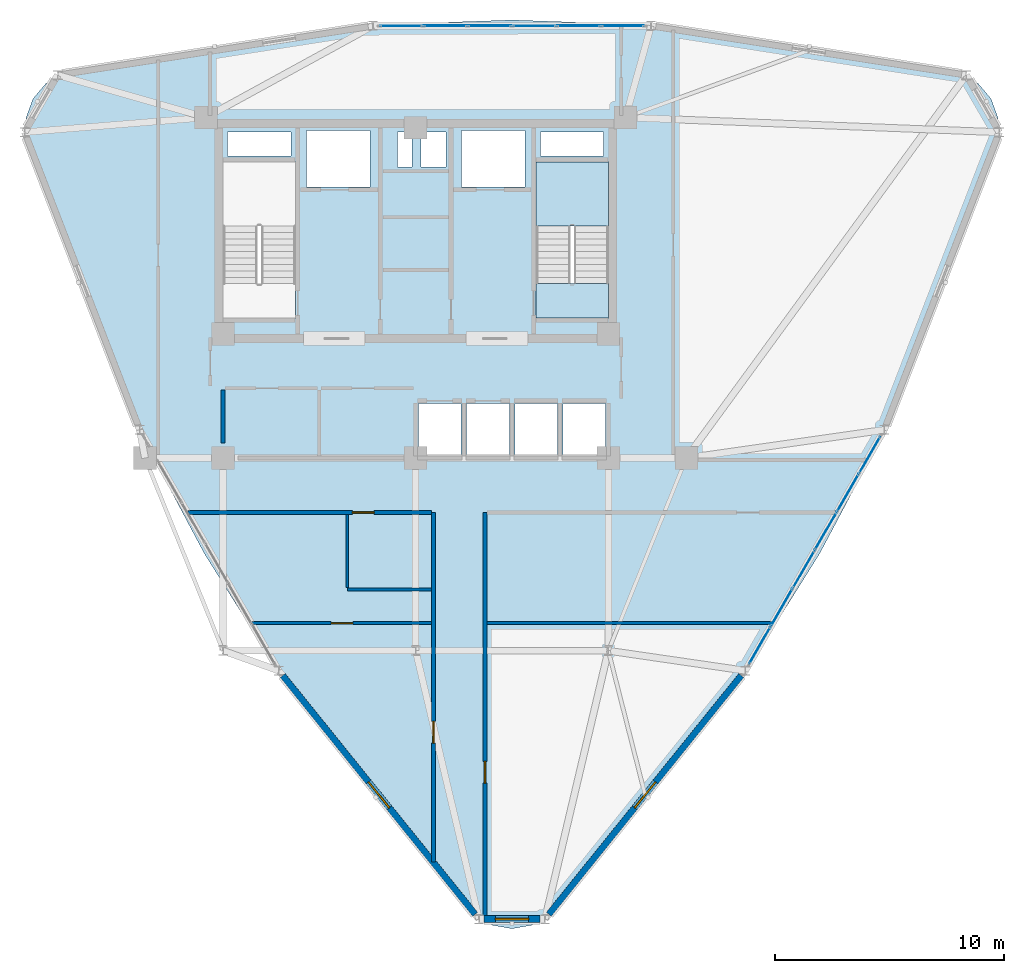
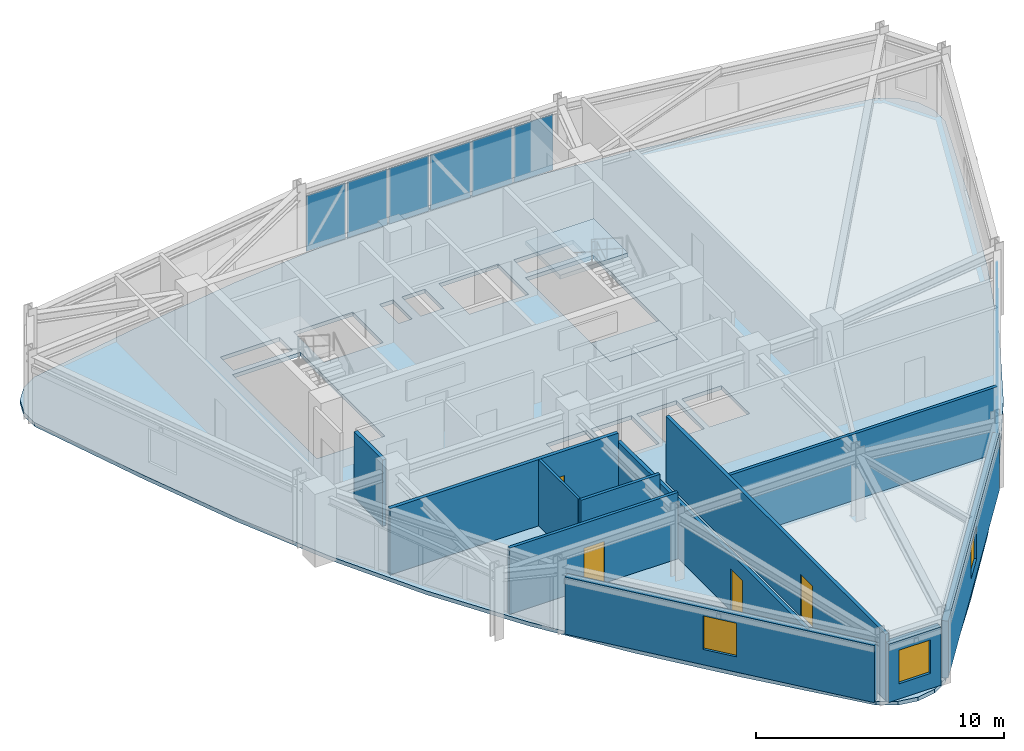
# One storey, part 12 of 16: 12 plates, 11 walls, 4 doors, 3 slabs, 3 windows, 7 openings, 3 elements without a shape of their own.
"""IFC4 building model written with IfcOpenShell, lengths in metres."""

from ifc_helpers import new_model, si_unit, derived_unit, direction, frame, frame_2d, origin, origin_2d, place, context, subcontext, project, spatial, polyline, rectangle, outline, extrude, source, transform, mapped, material, layer, layer_set, type_object, element, fill, aggregate, save


model = new_model("IFC4")

# Units and contexts
model_context = context("Model", 3, precision=1e-05, world=origin(), true_north=direction((0.0, 1.0)))
body_context = subcontext(model_context, "Body", "Model", "MODEL_VIEW")
ifc_project = project(units=[si_unit("LENGTHUNIT", "METRE"), si_unit("AREAUNIT", "SQUARE_METRE"), si_unit("VOLUMEUNIT", "CUBIC_METRE"), si_unit("PLANEANGLEUNIT", "RADIAN"), si_unit("MASSUNIT", "GRAM", prefix="KILO"), derived_unit("THERMALTRANSMITTANCEUNIT", [(si_unit("POWERUNIT", "WATT"), 1), (si_unit("LENGTHUNIT", "METRE"), -2), (si_unit("THERMODYNAMICTEMPERATUREUNIT", "KELVIN"), -1)])], contexts=[model_context])

# Site, building, storey
site_placement = place(None, origin())
site = spatial("IfcSite", under=ifc_project, at=site_placement, CompositionType="ELEMENT")
building_placement = place(site_placement, origin())
building = spatial("IfcBuilding", under=site, at=building_placement, Name="Korsvarv Bourse and Concert Hall", CompositionType="ELEMENT")
storey_placement = place(building_placement, frame((0.0, 0.0, 234.60009765625)))
storey = spatial("IfcBuildingStorey", under=building, at=storey_placement, Name="L61", CompositionType="ELEMENT", Elevation=234.60009765625)

# Slab
ifc_material_1 = material(Name="Precast concrete C45/55", Category="concrete")
ifc_layer_1 = layer(ifc_material_1, 0.199951171875)
ifc_layer_set_1 = layer_set([ifc_layer_1], Name="Precast concrete C45/55")
slab_type_1 = type_object("IfcSlabType", Name="SLB-FLND-T", PredefinedType="LANDING", material=ifc_layer_set_1)
slab_1_placement = place(storey_placement, frame((0.0, 0.0, -0.2001953125)))
element("IfcSlab", 1, at=slab_1_placement, inside=storey, type_object=slab_type_1, Name="L61 Stair ST-T2 Floor Landing Slab", PredefinedType="LANDING", context=body_context, shape_type="SweptSolid", body=[
    extrude(outline(polyline([(44.39990234375, 38.5), (44.39990234375, 40.0), (41.239990234375, 40.0), (41.239990234375, 38.5), (44.39990234375, 38.5)])), origin(), (0.0, 0.0, 1.0), 0.2001953125),
])

# Stair, slab
stair_type = type_object("IfcStairType", Name="STR-TYPE-04", PredefinedType="HALF_TURN_STAIR", material=ifc_material_1)
stair_placement = place(storey_placement, origin())
stair = element("IfcStair", 2, at=stair_placement, inside=storey, type_object=stair_type, Name="L61 Tower East Exit Stair ST-T2", PredefinedType="HALF_TURN_STAIR")
ifc_layer_2 = layer(ifc_material_1, 0.199951171875)
ifc_layer_set_2 = layer_set([ifc_layer_2], Name="Precast concrete C45/55")
slab_type_2 = type_object("IfcSlabType", Name="SLB-ST-LND", PredefinedType="LANDING", material=ifc_layer_set_2)
slab_2_placement = place(storey_placement, frame((0.0, 0.0, 1.599853515625)))
slab_2 = element("IfcSlab", 3, at=slab_2_placement, type_object=slab_type_2, Name="ST-T2 landing 1", PredefinedType="LANDING", context=body_context, shape_type="SweptSolid", body=[
    extrude(outline(polyline([(44.39990234375, 42.52001953125), (44.39990234375, 45.300048828125), (41.239990234375, 45.300048828125), (41.239990234375, 42.52001953125), (44.39990234375, 42.52001953125)])), origin(), (0.0, 0.0, 1.0), 0.199951171875),
])
aggregate(stair, [slab_2])

# Slab
ifc_material_2 = material(Name="Concrete C45/55", Category="concrete")
ifc_layer_3 = layer(ifc_material_2, 0.18994140625)
ifc_layer_set_3 = layer_set([ifc_layer_3], Name="Concrete C45/55")
slab_type_3 = type_object("IfcSlabType", Name="SLB-TW3", PredefinedType="FLOOR", material=ifc_layer_set_3)
slab_3_placement = place(storey_placement, frame((0.0, 0.0, -0.190185546875)))
element("IfcSlab", 4, at=slab_3_placement, inside=storey, type_object=slab_type_3, Name="L61 tower structural floor slab", PredefinedType="FLOOR", context=body_context, shape_type="SweptSolid", body=[
    extrude(outline(polyline([(61.0341796875, 45.40966796875), (59.4189453125, 40.951416015625), (57.701904296875, 36.576416015625), (55.791015625, 32.33349609375), (53.622314453125, 28.25048828125), (51.170654296875, 24.330810546875), (48.45166015625, 20.554443359375), (45.521240234375, 16.88037109375), (42.468017578125, 13.252197265625), (42.46728515625, 13.251220703125), (41.80859375, 12.466552734375), (41.055908203125, 12.031982421875), (40.199951171875, 11.881103515625), (39.343994140625, 12.031982421875), (38.59130859375, 12.466552734375), (37.932861328125, 13.251220703125), (37.931884765625, 13.252197265625), (34.878662109375, 16.88037109375), (31.9482421875, 20.554443359375), (29.229248046875, 24.330810546875), (26.777587890625, 28.25048828125), (24.60888671875, 32.33349609375), (22.697998046875, 36.576416015625), (20.981201171875, 40.951416015625), (19.365966796875, 45.40966796875), (19.365478515625, 45.410888671875), (19.01513671875, 46.37353515625), (19.01513671875, 47.24267578125), (19.3125, 48.059326171875), (19.87109375, 48.725341796875), (20.623779296875, 49.159912109375), (21.632568359375, 49.337890625), (21.6337890625, 49.337890625), (26.302490234375, 50.168212890625), (30.94970703125, 50.868896484375), (35.57958984375, 51.33544921875), (40.199951171875, 51.498779296875), (44.8203125, 51.33544921875), (49.4501953125, 50.868896484375), (54.097412109375, 50.168212890625), (58.76611328125, 49.337890625), (58.767333984375, 49.337890625), (59.776123046875, 49.159912109375), (60.52880859375, 48.725341796875), (61.087646484375, 48.059326171875), (61.385009765625, 47.24267578125), (61.385009765625, 46.37353515625), (61.03466796875, 45.410888671875), (61.0341796875, 45.40966796875)]), holes=[polyline([(30.760009765625, 38.5), (30.760009765625, 45.300048828125), (27.60009765625, 45.300048828125), (27.60009765625, 38.5), (30.760009765625, 38.5)]), polyline([(44.39990234375, 38.5), (44.39990234375, 45.300048828125), (41.239990234375, 45.300048828125), (41.239990234375, 38.5), (44.39990234375, 38.5)]), polyline([(31.239990234375, 44.219970703125), (34.0, 44.219970703125), (34.0, 46.679931640625), (31.239990234375, 46.679931640625), (31.239990234375, 44.219970703125)]), polyline([(38.0, 44.219970703125), (40.760009765625, 44.219970703125), (40.760009765625, 46.679931640625), (38.0, 46.679931640625), (38.0, 44.219970703125)]), polyline([(36.1201171875, 32.52001953125), (37.97998046875, 32.52001953125), (37.97998046875, 34.780029296875), (36.1201171875, 34.780029296875), (36.1201171875, 32.52001953125)]), polyline([(38.219970703125, 32.52001953125), (40.080078125, 32.52001953125), (40.080078125, 34.780029296875), (38.219970703125, 34.780029296875), (38.219970703125, 32.52001953125)]), polyline([(40.320068359375, 32.52001953125), (42.179931640625, 32.52001953125), (42.179931640625, 34.780029296875), (40.320068359375, 34.780029296875), (40.320068359375, 32.52001953125)]), polyline([(42.419921875, 32.52001953125), (44.280029296875, 32.52001953125), (44.280029296875, 34.780029296875), (42.419921875, 34.780029296875), (42.419921875, 32.52001953125)]), polyline([(27.800048828125, 45.56005859375), (30.56005859375, 45.56005859375), (30.56005859375, 46.6201171875), (27.800048828125, 46.6201171875), (27.800048828125, 45.56005859375)]), polyline([(41.43994140625, 45.56005859375), (44.199951171875, 45.56005859375), (44.199951171875, 46.6201171875), (41.43994140625, 46.6201171875), (41.43994140625, 45.56005859375)]), polyline([(35.199951171875, 45.080078125), (35.840087890625, 45.080078125), (35.840087890625, 46.6201171875), (35.199951171875, 46.6201171875), (35.199951171875, 45.080078125)]), polyline([(36.239990234375, 45.080078125), (37.320068359375, 45.080078125), (37.320068359375, 46.6201171875), (36.239990234375, 46.6201171875), (36.239990234375, 45.080078125)])]), origin(), (0.0, 0.0, 1.0), 0.190185546875),
])

# Curtain wall, plates
ifc_material_3 = material(Name="Anodised aluminium and triple low-E glazing", Category="glass")
ifc_layer_4 = layer(ifc_material_3, 0.199951171875)
ifc_layer_set_4 = layer_set([ifc_layer_4], Name="Anodised aluminium and triple low-E glazing")
curtain_wall_type = type_object("IfcCurtainWallType", Name="CW-SYS-3", PredefinedType="NOTDEFINED", material=ifc_layer_set_4)
curtain_wall_1_placement = place(storey_placement, origin())
curtain_wall_1 = element("IfcCurtainWall", 5, at=curtain_wall_1_placement, inside=storey, type_object=curtain_wall_type, Name="L61 CW3 curtain wall CW-L61-F03", PredefinedType="NOTDEFINED")
ifc_material_4 = material(Name="Tempered triple insulated low-E architectural glass", Category="glass")
ifc_layer_5 = layer(ifc_material_4, 0.0380859375)
ifc_layer_set_5 = layer_set([ifc_layer_5], Name="Tempered triple insulated low-E architectural glass")
plate_type_1 = type_object("IfcPlateType", Name="CWP-VIS2", PredefinedType="CURTAIN_PANEL", material=ifc_layer_set_5)
shared_shape_1 = source(origin(), body_context, "Body", "SweptSolid", [
    extrude(rectangle(XDim=1.831298828125, YDim=0.0380859375, at=origin_2d()), origin(), (0.0, 0.0, 1.0), 2.739990234375),
])
plate_1_placement = place(storey_placement, frame((45.023193359375, 51.2412109375, 0.06494140625), z_axis=(0.0, 0.0, 1.0), x_axis=(-1.0, 0.0, 0.0)))
plate_1 = element("IfcPlate", 6, at=plate_1_placement, type_object=plate_type_1, Name="CW3 faceted panel 1.1", PredefinedType="CURTAIN_PANEL", context=body_context, shape_type="MappedRepresentation", body=[
    mapped(shared_shape_1, transform((0.0, 0.0, 0.0), scale=1.0)),
])
shared_shape_2 = source(origin(), body_context, "Body", "SweptSolid", [
    extrude(rectangle(XDim=1.8662109375, YDim=0.0380859375, at=origin_2d()), origin(), (0.0, 0.0, 1.0), 2.739990234375),
])
plate_2_placement = place(storey_placement, frame((43.1044921875, 51.2412109375, 0.06494140625), z_axis=(0.0, 0.0, 1.0), x_axis=(-1.0, 0.0, 0.0)))
plate_2 = element("IfcPlate", 7, at=plate_2_placement, type_object=plate_type_1, Name="CW3 faceted panel 2.1", PredefinedType="CURTAIN_PANEL", context=body_context, shape_type="MappedRepresentation", body=[
    mapped(shared_shape_2, transform((0.0, 0.0, 0.0), scale=1.0)),
])
plate_3_placement = place(storey_placement, frame((39.23193359375, 51.2412109375, 0.06494140625), z_axis=(0.0, 0.0, 1.0), x_axis=(-1.0, 0.0, 0.0)))
plate_3 = element("IfcPlate", 8, at=plate_3_placement, type_object=plate_type_1, Name="CW3 faceted panel 4.1", PredefinedType="CURTAIN_PANEL", context=body_context, shape_type="MappedRepresentation", body=[
    mapped(shared_shape_2, transform((0.0, 0.0, 0.0), scale=1.0)),
])
plate_4_placement = place(storey_placement, frame((37.295654296875, 51.2412109375, 0.06494140625), z_axis=(0.0, 0.0, 1.0), x_axis=(-1.0, 0.0, 0.0)))
plate_4 = element("IfcPlate", 9, at=plate_4_placement, type_object=plate_type_1, Name="CW3 faceted panel 5.1", PredefinedType="CURTAIN_PANEL", context=body_context, shape_type="MappedRepresentation", body=[
    mapped(shared_shape_2, transform((0.0, 0.0, 0.0), scale=1.0)),
])
ifc_material_5 = material(Name="Insulated spandrel glass", Category="glass")
ifc_layer_6 = layer(ifc_material_5, 0.031982421875)
ifc_layer_set_6 = layer_set([ifc_layer_6], Name="Insulated spandrel glass")
plate_type_2 = type_object("IfcPlateType", Name="CWP-SPD1", PredefinedType="CURTAIN_PANEL", material=ifc_layer_set_6)
shared_shape_3 = source(origin(), body_context, "Body", "SweptSolid", [
    extrude(rectangle(XDim=1.8662109375, YDim=0.031982421875, at=origin_2d()), origin(), (0.0, 0.0, 1.0), 2.739990234375),
])
plate_5_placement = place(storey_placement, frame((41.168212890625, 51.2412109375, 0.06494140625), z_axis=(0.0, 0.0, 1.0), x_axis=(-1.0, 0.0, 0.0)))
plate_5 = element("IfcPlate", 10, at=plate_5_placement, type_object=plate_type_2, Name="CW3 spandrel shadow-box panel 3.1", PredefinedType="CURTAIN_PANEL", context=body_context, shape_type="MappedRepresentation", body=[
    mapped(shared_shape_3, transform((0.0, 0.0, 0.0), scale=1.0)),
])
shared_shape_4 = source(origin(), body_context, "Body", "SweptSolid", [
    extrude(rectangle(XDim=1.831298828125, YDim=0.031982421875, at=origin_2d()), origin(), (0.0, 0.0, 1.0), 2.739990234375),
])
plate_6_placement = place(storey_placement, frame((35.376953125, 51.2412109375, 0.06494140625), z_axis=(0.0, 0.0, 1.0), x_axis=(-1.0, 0.0, 0.0)))
plate_6 = element("IfcPlate", 11, at=plate_6_placement, type_object=plate_type_2, Name="CW3 spandrel shadow-box panel 6.1", PredefinedType="CURTAIN_PANEL", context=body_context, shape_type="MappedRepresentation", body=[
    mapped(shared_shape_4, transform((0.0, 0.0, 0.0), scale=1.0)),
])
aggregate(curtain_wall_1, [plate_1, plate_2, plate_5, plate_3, plate_4, plate_6])

curtain_wall_2_placement = place(storey_placement, origin())
curtain_wall_2 = element("IfcCurtainWall", 12, at=curtain_wall_2_placement, inside=storey, type_object=curtain_wall_type, Name="L61 CW3 curtain wall CW-L61-F11", PredefinedType="NOTDEFINED")
shared_shape_5 = source(origin(), body_context, "Body", "SweptSolid", [
    extrude(rectangle(XDim=1.816162109375, YDim=0.0380859375, at=origin_2d()), origin(), (0.0, 0.0, 1.0), 2.739990234375),
])
plate_7_placement = place(storey_placement, frame((51.00634765625, 24.23486328125, 0.06494140625), z_axis=(0.0, 0.0, 1.0), x_axis=(0.499996035044, 0.86602769294, 0.0)))
plate_7 = element("IfcPlate", 13, at=plate_7_placement, type_object=plate_type_1, Name="CW3 faceted panel 1.1", PredefinedType="CURTAIN_PANEL", context=body_context, shape_type="MappedRepresentation", body=[
    mapped(shared_shape_5, transform((0.0, 0.0, 0.0), scale=1.0)),
])
shared_shape_6 = source(origin(), body_context, "Body", "SweptSolid", [
    extrude(rectangle(XDim=1.851318359375, YDim=0.0380859375, at=origin_2d()), origin(), (0.0, 0.0, 1.0), 2.739990234375),
])
plate_8_placement = place(storey_placement, frame((51.958251953125, 25.883544921875, 0.06494140625), z_axis=(0.0, 0.0, 1.0), x_axis=(0.499996035044, 0.86602769294, 0.0)))
plate_8 = element("IfcPlate", 14, at=plate_8_placement, type_object=plate_type_1, Name="CW3 faceted panel 2.1", PredefinedType="CURTAIN_PANEL", context=body_context, shape_type="MappedRepresentation", body=[
    mapped(shared_shape_6, transform((0.0, 0.0, 0.0), scale=1.0)),
])
plate_9_placement = place(storey_placement, frame((53.879638671875, 29.21142578125, 0.06494140625), z_axis=(0.0, 0.0, 1.0), x_axis=(0.499996035044, 0.86602769294, 0.0)))
plate_9 = element("IfcPlate", 15, at=plate_9_placement, type_object=plate_type_1, Name="CW3 faceted panel 4.1", PredefinedType="CURTAIN_PANEL", context=body_context, shape_type="MappedRepresentation", body=[
    mapped(shared_shape_6, transform((0.0, 0.0, 0.0), scale=1.0)),
])
plate_10_placement = place(storey_placement, frame((54.840087890625, 30.875244140625, 0.06494140625), z_axis=(0.0, 0.0, 1.0), x_axis=(0.499996035044, 0.86602769294, 0.0)))
plate_10 = element("IfcPlate", 16, at=plate_10_placement, type_object=plate_type_1, Name="CW3 faceted panel 5.1", PredefinedType="CURTAIN_PANEL", context=body_context, shape_type="MappedRepresentation", body=[
    mapped(shared_shape_6, transform((0.0, 0.0, 0.0), scale=1.0)),
])
shared_shape_7 = source(origin(), body_context, "Body", "SweptSolid", [
    extrude(rectangle(XDim=1.851318359375, YDim=0.031982421875, at=origin_2d()), origin(), (0.0, 0.0, 1.0), 2.739990234375),
])
plate_11_placement = place(storey_placement, frame((52.9189453125, 27.547607421875, 0.06494140625), z_axis=(0.0, 0.0, 1.0), x_axis=(0.499996035044, 0.86602769294, 0.0)))
plate_11 = element("IfcPlate", 17, at=plate_11_placement, type_object=plate_type_2, Name="CW3 spandrel shadow-box panel 3.1", PredefinedType="CURTAIN_PANEL", context=body_context, shape_type="MappedRepresentation", body=[
    mapped(shared_shape_7, transform((0.0, 0.0, 0.0), scale=1.0)),
])
shared_shape_8 = source(origin(), body_context, "Body", "SweptSolid", [
    extrude(rectangle(XDim=1.816162109375, YDim=0.031982421875, at=origin_2d()), origin(), (0.0, 0.0, 1.0), 2.739990234375),
])
plate_12_placement = place(storey_placement, frame((55.7919921875, 32.52392578125, 0.06494140625), z_axis=(0.0, 0.0, 1.0), x_axis=(0.499996035044, 0.86602769294, 0.0)))
plate_12 = element("IfcPlate", 18, at=plate_12_placement, type_object=plate_type_2, Name="CW3 spandrel shadow-box panel 6.1", PredefinedType="CURTAIN_PANEL", context=body_context, shape_type="MappedRepresentation", body=[
    mapped(shared_shape_8, transform((0.0, 0.0, 0.0), scale=1.0)),
])
aggregate(curtain_wall_2, [plate_7, plate_8, plate_11, plate_9, plate_10, plate_12])

# Wall, opening, window
ifc_material_6 = material(Name="Precast concrete C45/55 with terracotta rainscreen", Category="concrete")
ifc_layer_7 = layer(ifc_material_6, 0.300048828125)
ifc_layer_set_7 = layer_set([ifc_layer_7], Name="Precast concrete C45/55 with terracotta rainscreen")
wall_type_1 = type_object("IfcWallType", Name="WL-EXT-TC1", PredefinedType="SOLIDWALL", material=ifc_layer_set_7)
wall_1_placement = place(storey_placement, frame((38.969482421875, 12.296142578125, 0.0), z_axis=(0.0, 0.0, 1.0), x_axis=(1.0, 0.0, 0.0)))
wall_1 = element("IfcWall", 19, at=wall_1_placement, inside=storey, type_object=wall_type_1, Name="L61 terracotta exterior wall EW-L61-B09", PredefinedType="SOLIDWALL", context=body_context, shape_type="SweptSolid", body=[
    extrude(rectangle(XDim=2.4609375, YDim=0.300048828125, at=frame_2d((1.23046875, 0.0))), origin(), (0.0, 0.0, 1.0), 2.869873046875),
])
opening_1_placement = place(wall_1_placement, frame((0.50537109375, 0.0, 0.75)))
opening_1 = element("IfcOpeningElement", 20, at=opening_1_placement, cuts=wall_1, Name="Opening W-02", PredefinedType="OPENING", context=body_context, shape_type="SweptSolid", body=[
    extrude(rectangle(XDim=1.449951171875, YDim=1.64990234375, at=frame_2d((0.72509765625, 0.824951171875))), frame((0.0, 0.16015625, 0.0), z_axis=(0.0, -1.0, 0.0), x_axis=(1.0, 0.0, 0.0)), (0.0, 0.0, 1.0), 0.320068359375),
])
ifc_material_7 = material(Name="Thermally broken aluminium frame with triple low-E glass", Category="glass")
window_type = type_object("IfcWindowType", Name="WIN-TW2", PartitioningType="SINGLE_PANEL", PredefinedType="WINDOW", material=ifc_material_7)
window_1_placement = place(opening_1_placement, origin())
window_1 = element("IfcWindow", 21, at=window_1_placement, inside=storey, type_object=window_type, Name="L61 punched facade window W-02", OverallHeight=1.64990234375, OverallWidth=1.449951171875, PartitioningType="SINGLE_PANEL", PredefinedType="WINDOW", context=body_context, shape_type="SweptSolid", body=[
    extrude(rectangle(XDim=1.449951171875, YDim=1.64990234375, at=frame_2d((0.72509765625, 0.824951171875))), frame((0.0, 0.030029296875, 0.0), z_axis=(0.0, -1.0, 0.0), x_axis=(1.0, 0.0, 0.0)), (0.0, 0.0, 1.0), 0.06005859375),
])
fill(opening_1, window_1)

ifc_material_8 = material(Name="Precast concrete C45/55 with fluted terracotta pier", Category="concrete")
ifc_layer_8 = layer(ifc_material_8, 0.280029296875)
ifc_layer_set_8 = layer_set([ifc_layer_8], Name="Precast concrete C45/55 with fluted terracotta pier")
wall_type_2 = type_object("IfcWallType", Name="WL-EXT-TC2", PredefinedType="SOLIDWALL", material=ifc_layer_set_8)
wall_2_placement = place(storey_placement, frame((30.203369140625, 22.916748046875, 0.0), z_axis=(0.0, 0.0, 1.0), x_axis=(0.627453225305, -0.778654255786, 0.0)))
wall_2 = element("IfcWall", 22, at=wall_2_placement, inside=storey, type_object=wall_type_2, Name="L61 terracotta exterior wall EW-L61-B08", PredefinedType="SOLIDWALL", context=body_context, shape_type="SweptSolid", body=[
    extrude(rectangle(XDim=13.3662109375, YDim=0.280029296875, at=frame_2d((6.68310546875, 0.0))), origin(), (0.0, 0.0, 1.0), 2.809814453125),
])
opening_2_placement = place(wall_2_placement, frame((5.9580078125, 0.0, 0.75)))
opening_2 = element("IfcOpeningElement", 23, at=opening_2_placement, cuts=wall_2, Name="Opening W-02", PredefinedType="OPENING", context=body_context, shape_type="SweptSolid", body=[
    extrude(rectangle(XDim=1.449951171875, YDim=1.64990234375, at=frame_2d((0.72509765625, 0.824951171875))), frame((0.0, 0.14990234375, 0.0), z_axis=(0.0, -1.0, 0.0), x_axis=(1.0, 0.0, 0.0)), (0.0, 0.0, 1.0), 0.300048828125),
])
window_2_placement = place(opening_2_placement, origin())
window_2 = element("IfcWindow", 24, at=window_2_placement, inside=storey, type_object=window_type, Name="L61 punched facade window W-02", OverallHeight=1.64990234375, OverallWidth=1.449951171875, PartitioningType="SINGLE_PANEL", PredefinedType="WINDOW", context=body_context, shape_type="SweptSolid", body=[
    extrude(rectangle(XDim=1.449951171875, YDim=1.64990234375, at=frame_2d((0.72509765625, 0.824951171875))), frame((0.0, 0.030029296875, 0.0), z_axis=(0.0, -1.0, 0.0), x_axis=(1.0, 0.0, 0.0)), (0.0, 0.0, 1.0), 0.06005859375),
])
fill(opening_2, window_2)

wall_3_placement = place(storey_placement, frame((41.81005859375, 12.509033203125, 0.0), z_axis=(0.0, 0.0, 1.0), x_axis=(0.627453225305, 0.778654255786, 0.0)))
wall_3 = element("IfcWall", 25, at=wall_3_placement, inside=storey, type_object=wall_type_2, Name="L61 terracotta exterior wall EW-L61-B10", PredefinedType="SOLIDWALL", context=body_context, shape_type="SweptSolid", body=[
    extrude(rectangle(XDim=13.3662109375, YDim=0.280029296875, at=frame_2d((6.68310546875, 0.0))), origin(), (0.0, 0.0, 1.0), 2.809814453125),
])
opening_3_placement = place(wall_3_placement, frame((5.9580078125, 0.0, 0.75)))
opening_3 = element("IfcOpeningElement", 26, at=opening_3_placement, cuts=wall_3, Name="Opening W-02", PredefinedType="OPENING", context=body_context, shape_type="SweptSolid", body=[
    extrude(rectangle(XDim=1.449951171875, YDim=1.64990234375, at=frame_2d((0.72509765625, 0.824951171875))), frame((0.0, 0.14990234375, 0.0), z_axis=(0.0, -1.0, 0.0), x_axis=(1.0, 0.0, 0.0)), (0.0, 0.0, 1.0), 0.300048828125),
])
window_3_placement = place(opening_3_placement, origin())
window_3 = element("IfcWindow", 27, at=window_3_placement, inside=storey, type_object=window_type, Name="L61 punched facade window W-02", OverallHeight=1.64990234375, OverallWidth=1.449951171875, PartitioningType="SINGLE_PANEL", PredefinedType="WINDOW", context=body_context, shape_type="SweptSolid", body=[
    extrude(rectangle(XDim=1.449951171875, YDim=1.64990234375, at=frame_2d((0.72509765625, 0.824951171875))), frame((0.0, 0.030029296875, 0.0), z_axis=(0.0, -1.0, 0.0), x_axis=(1.0, 0.0, 0.0)), (0.0, 0.0, 1.0), 0.06005859375),
])
fill(opening_3, window_3)

# Wall
ifc_material_9 = material(Name="Double-stud fire-rated acoustic partition", Category="gypsum")
ifc_layer_9 = layer(ifc_material_9, 0.159912109375)
ifc_layer_set_9 = layer_set([ifc_layer_9], Name="Double-stud fire-rated acoustic partition")
wall_type_3 = type_object("IfcWallType", Name="WL-INT-EI60", PredefinedType="PARTITIONING", material=ifc_layer_set_9)
wall_4_placement = place(storey_placement, frame((27.60009765625, 33.050048828125, 0.0), z_axis=(0.0, 0.0, 1.0), x_axis=(0.0, 1.0, 0.0)))
element("IfcWall", 28, at=wall_4_placement, inside=storey, type_object=wall_type_3, Name="L61 interior partition wall W-L61-FRD-W", PredefinedType="PARTITIONING", context=body_context, shape_type="SweptSolid", body=[
    extrude(rectangle(XDim=2.31005859375, YDim=0.159912109375, at=frame_2d((1.155029296875, 0.0))), origin(), (0.0, 0.0, 1.0), 3.260009765625),
])

# Wall, opening, door
wall_5_placement = place(storey_placement, frame((39.02490234375, 12.316162109375, 0.0), z_axis=(0.0, 0.0, 1.0), x_axis=(0.0, 1.0, 0.0)))
wall_5 = element("IfcWall", 29, at=wall_5_placement, inside=storey, type_object=wall_type_3, Name="L61 interior partition wall W-L61-TCOR-02", PredefinedType="PARTITIONING", context=body_context, shape_type="SweptSolid", body=[
    extrude(rectangle(XDim=17.7138671875, YDim=0.159912109375, at=frame_2d((8.85693359375, 0.0))), origin(), (0.0, 0.0, 1.0), 3.260009765625),
])
opening_4_placement = place(wall_5_placement, frame((5.914306640625, 0.0, 0.0)))
opening_4 = element("IfcOpeningElement", 30, at=opening_4_placement, cuts=wall_5, Name="Opening D-02", PredefinedType="OPENING", context=body_context, shape_type="SweptSolid", body=[
    extrude(rectangle(XDim=0.949951171875, YDim=2.050048828125, at=frame_2d((0.47509765625, 1.02490234375))), frame((0.0, 0.08984375, 0.0), z_axis=(0.0, -1.0, 0.0), x_axis=(1.0, 0.0, 0.0)), (0.0, 0.0, 1.0), 0.179931640625),
])
ifc_material_10 = material(Name="Timber and steel acoustic fire door", Category="wood")
door_type_1 = type_object("IfcDoorType", Name="DR-FD30", OperationType="NOTDEFINED", PredefinedType="DOOR", material=ifc_material_10)
door_1_placement = place(opening_4_placement, origin())
door_1 = element("IfcDoor", 31, at=door_1_placement, inside=storey, type_object=door_type_1, Name="L61 interior door DR-L61-TCOR-PRE2", OperationType="SINGLE_SWING_LEFT", OverallHeight=2.050048828125, OverallWidth=0.949951171875, PredefinedType="DOOR", context=body_context, shape_type="SweptSolid", body=[
    extrude(rectangle(XDim=0.949951171875, YDim=2.050048828125, at=frame_2d((0.47509765625, 1.02490234375))), frame((0.0, 0.02490234375, 0.0), z_axis=(0.0, -1.0, 0.0), x_axis=(1.0, 0.0, 0.0)), (0.0, 0.0, 1.0), 0.050048828125),
])
fill(opening_4, door_1)

wall_6_placement = place(storey_placement, frame((36.77490234375, 14.781494140625, 0.0), z_axis=(0.0, 0.0, 1.0), x_axis=(0.0, 1.0, 0.0)))
wall_6 = element("IfcWall", 32, at=wall_6_placement, inside=storey, type_object=wall_type_3, Name="L61 interior partition wall W-L61-TCOR-05", PredefinedType="PARTITIONING", context=body_context, shape_type="SweptSolid", body=[
    extrude(rectangle(XDim=15.24853515625, YDim=0.159912109375, at=frame_2d((7.624267578125, 0.0))), origin(), (0.0, 0.0, 1.0), 2.809814453125),
])
opening_5_placement = place(wall_6_placement, frame((5.184814453125, 0.0, 0.0)))
opening_5 = element("IfcOpeningElement", 33, at=opening_5_placement, cuts=wall_6, Name="Opening D-02", PredefinedType="OPENING", context=body_context, shape_type="SweptSolid", body=[
    extrude(rectangle(XDim=0.949951171875, YDim=2.050048828125, at=frame_2d((0.47509765625, 1.02490234375))), frame((0.0, 0.08984375, 0.0), z_axis=(0.0, -1.0, 0.0), x_axis=(1.0, 0.0, 0.0)), (0.0, 0.0, 1.0), 0.179931640625),
])
door_2_placement = place(opening_5_placement, origin())
door_2 = element("IfcDoor", 34, at=door_2_placement, inside=storey, type_object=door_type_1, Name="L61 interior door DR-L61-TCOR-PRW5", OperationType="SINGLE_SWING_RIGHT", OverallHeight=2.050048828125, OverallWidth=0.949951171875, PredefinedType="DOOR", context=body_context, shape_type="SweptSolid", body=[
    extrude(rectangle(XDim=0.949951171875, YDim=2.050048828125, at=frame_2d((0.47509765625, 1.02490234375))), frame((0.0, 0.02490234375, 0.0), z_axis=(0.0, -1.0, 0.0), x_axis=(1.0, 0.0, 0.0)), (0.0, 0.0, 1.0), 0.050048828125),
])
fill(opening_5, door_2)

wall_7_placement = place(storey_placement, frame((26.07080078125, 30.02490234375, 0.0), z_axis=(0.0, 0.0, 1.0), x_axis=(1.0, 0.0, 0.0)))
wall_7 = element("IfcWall", 35, at=wall_7_placement, inside=storey, type_object=wall_type_3, Name="L61 interior partition wall W-L61-TCOR-06", PredefinedType="PARTITIONING", context=body_context, shape_type="SweptSolid", body=[
    extrude(rectangle(XDim=10.622314453125, YDim=0.159912109375, at=frame_2d((5.31103515625, 0.0))), origin(), (0.0, 0.0, 1.0), 3.260009765625),
])
opening_6_placement = place(wall_7_placement, frame((7.169189453125, 0.0, 0.0)))
opening_6 = element("IfcOpeningElement", 36, at=opening_6_placement, cuts=wall_7, Name="Opening D-02", PredefinedType="OPENING", context=body_context, shape_type="SweptSolid", body=[
    extrude(rectangle(XDim=0.949951171875, YDim=2.050048828125, at=frame_2d((0.47509765625, 1.02490234375))), frame((0.0, 0.08984375, 0.0), z_axis=(0.0, -1.0, 0.0), x_axis=(1.0, 0.0, 0.0)), (0.0, 0.0, 1.0), 0.179931640625),
])
door_3_placement = place(opening_6_placement, origin())
door_3 = element("IfcDoor", 37, at=door_3_placement, inside=storey, type_object=door_type_1, Name="L61 interior door DR-L61-TCOR-RWC", OperationType="SINGLE_SWING_LEFT", OverallHeight=2.050048828125, OverallWidth=0.949951171875, PredefinedType="DOOR", context=body_context, shape_type="SweptSolid", body=[
    extrude(rectangle(XDim=0.949951171875, YDim=2.050048828125, at=frame_2d((0.47509765625, 1.02490234375))), frame((0.0, 0.02490234375, 0.0), z_axis=(0.0, -1.0, 0.0), x_axis=(1.0, 0.0, 0.0)), (0.0, 0.0, 1.0), 0.050048828125),
])
fill(opening_6, door_3)

# Walls
ifc_material_11 = material(Name="Demountable acoustic glass and aluminium dealing partition", Category="aluminium")
ifc_layer_10 = layer(ifc_material_11, 0.110107421875)
ifc_layer_set_10 = layer_set([ifc_layer_10], Name="Demountable acoustic glass and aluminium dealing partition")
wall_type_4 = type_object("IfcWallType", Name="WL-INT-MOV", PredefinedType="MOVABLE", material=ifc_layer_set_10)
wall_8_placement = place(storey_placement, frame((33.02490234375, 26.7470703125, 0.0), z_axis=(0.0, 0.0, 1.0), x_axis=(0.0, 1.0, 0.0)))
element("IfcWall", 38, at=wall_8_placement, inside=storey, type_object=wall_type_4, Name="L61 interior partition wall W-L61-TCOR-13", PredefinedType="MOVABLE", context=body_context, shape_type="SweptSolid", body=[
    extrude(rectangle(XDim=3.196044921875, YDim=0.110107421875, at=frame_2d((1.59814453125, 0.0))), origin(), (0.0, 0.0, 1.0), 3.260009765625),
])
ifc_material_12 = material(Name="Insulated steel-stud office acoustic partition", Category="gypsum")
ifc_layer_11 = layer(ifc_material_12, 0.139892578125)
ifc_layer_set_11 = layer_set([ifc_layer_11], Name="Insulated steel-stud office acoustic partition")
wall_type_5 = type_object("IfcWallType", Name="WL-INT-P1", PredefinedType="PARTITIONING", material=ifc_layer_set_11)
wall_9_placement = place(storey_placement, frame((39.10693359375, 25.205078125, 0.0), z_axis=(0.0, 0.0, 1.0), x_axis=(1.0, 0.0, 0.0)))
element("IfcWall", 39, at=wall_9_placement, inside=storey, type_object=wall_type_5, Name="L61 interior partition wall W-L61-TCOR-10", PredefinedType="PARTITIONING", context=body_context, shape_type="SweptSolid", body=[
    extrude(rectangle(XDim=12.439453125, YDim=0.139892578125, at=frame_2d((6.2197265625, 0.0))), origin(), (0.0, 0.0, 1.0), 3.260009765625),
])

# Wall, opening, door
wall_10_placement = place(storey_placement, frame((28.853515625, 25.205078125, 0.0), z_axis=(0.0, 0.0, 1.0), x_axis=(1.0, 0.0, 0.0)))
wall_10 = element("IfcWall", 40, at=wall_10_placement, inside=storey, type_object=wall_type_5, Name="L61 interior partition wall W-L61-TCOR-11", PredefinedType="PARTITIONING", context=body_context, shape_type="SweptSolid", body=[
    extrude(rectangle(XDim=7.839599609375, YDim=0.139892578125, at=frame_2d((3.919921875, 0.0))), origin(), (0.0, 0.0, 1.0), 3.260009765625),
])
opening_7_placement = place(wall_10_placement, frame((3.458740234375, 0.0, 0.0)))
opening_7 = element("IfcOpeningElement", 41, at=opening_7_placement, cuts=wall_10, Name="Opening D-03", PredefinedType="OPENING", context=body_context, shape_type="SweptSolid", body=[
    extrude(rectangle(XDim=0.949951171875, YDim=2.050048828125, at=frame_2d((0.47509765625, 1.02490234375))), frame((0.0, 0.080078125, 0.0), z_axis=(0.0, -1.0, 0.0), x_axis=(1.0, 0.0, 0.0)), (0.0, 0.0, 1.0), 0.159912109375),
])
ifc_material_13 = material(Name="Nordic oak acoustic office door", Category="wood")
door_type_2 = type_object("IfcDoorType", Name="DR-INT-1", OperationType="NOTDEFINED", PredefinedType="DOOR", material=ifc_material_13)
door_4_placement = place(opening_7_placement, origin())
door_4 = element("IfcDoor", 42, at=door_4_placement, inside=storey, type_object=door_type_2, Name="L61 interior door DR-L61-TCOR-CIN6", OperationType="SINGLE_SWING_LEFT", OverallHeight=2.050048828125, OverallWidth=0.949951171875, PredefinedType="DOOR", context=body_context, shape_type="SweptSolid", body=[
    extrude(rectangle(XDim=0.949951171875, YDim=2.050048828125, at=frame_2d((0.47509765625, 1.02490234375))), frame((0.0, 0.02490234375, 0.0), z_axis=(0.0, -1.0, 0.0), x_axis=(1.0, 0.0, 0.0)), (0.0, 0.0, 1.0), 0.050048828125),
])
fill(opening_7, door_4)

# Wall
wall_11_placement = place(storey_placement, frame((33.02001953125, 26.675048828125, 0.0), z_axis=(0.0, 0.0, 1.0), x_axis=(1.0, 0.0, 0.0)))
element("IfcWall", 43, at=wall_11_placement, inside=storey, type_object=wall_type_5, Name="L61 interior partition wall W-L61-TCOR-12", PredefinedType="PARTITIONING", context=body_context, shape_type="SweptSolid", body=[
    extrude(rectangle(XDim=3.673095703125, YDim=0.139892578125, at=frame_2d((1.83642578125, 0.0))), origin(), (0.0, 0.0, 1.0), 3.260009765625),
])

save(model, "model.ifc")
